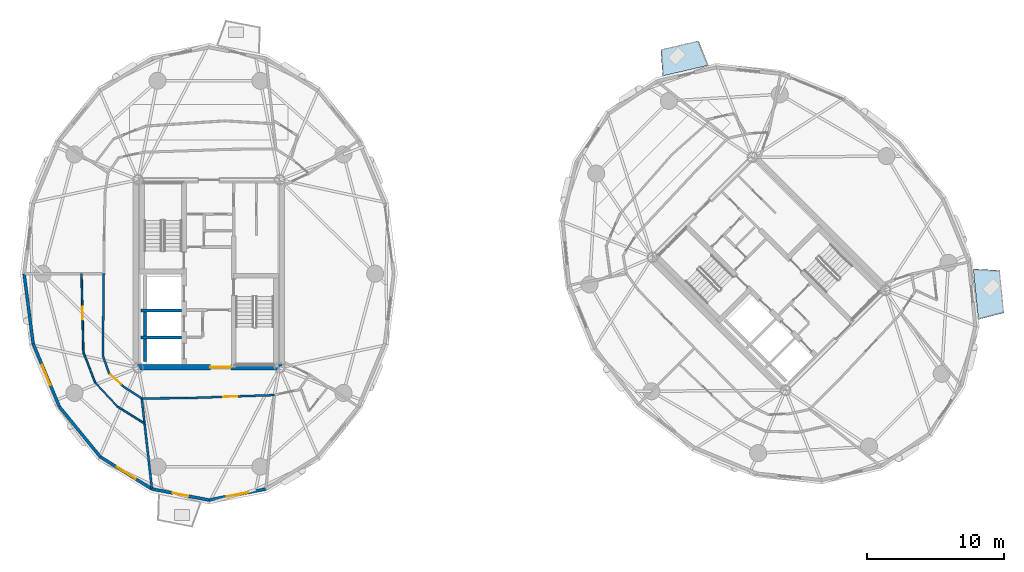
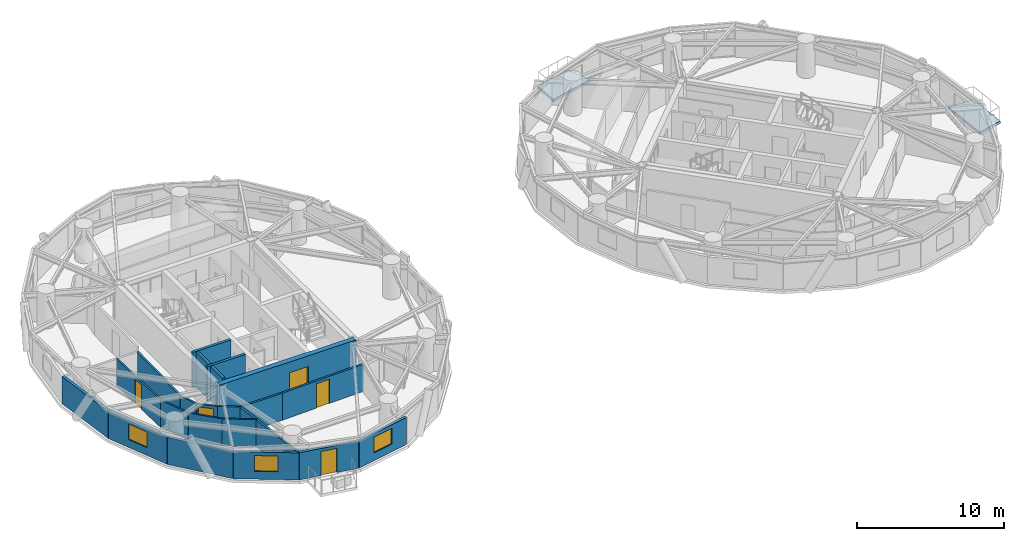
# One storey, part 7 of 16: 22 walls, 5 doors, 3 windows, 2 slabs, 8 openings.
"""IFC4 building model written with IfcOpenShell, lengths in metres."""

from ifc_helpers import new_model, si_unit, direction, frame, frame_2d, origin, place, context, subcontext, project, spatial, polyline, rectangle, outline, extrude, source, transform, mapped, material, layer, layer_set, type_object, element, fill, save


model = new_model("IFC4")

# Units and contexts
model_context = context("Model", 3, precision=1e-05, world=origin(), true_north=direction((0.0, 1.0)))
body_context = subcontext(model_context, "Body", "Model", "MODEL_VIEW")
ifc_project = project(units=[si_unit("LENGTHUNIT", "METRE"), si_unit("AREAUNIT", "SQUARE_METRE"), si_unit("VOLUMEUNIT", "CUBIC_METRE"), si_unit("PLANEANGLEUNIT", "RADIAN"), si_unit("MASSUNIT", "GRAM", prefix="KILO")], contexts=[model_context])

# Site, building, storey
site_placement = place(None, origin())
site = spatial("IfcSite", under=ifc_project, at=site_placement, CompositionType="ELEMENT")
building_placement = place(site_placement, origin())
building = spatial("IfcBuilding", under=site, at=building_placement, Name="Cununo Teusaquillo Station Towers", CompositionType="ELEMENT")
storey_placement = place(building_placement, frame((0.0, 0.0, 171.969970703125)))
storey = spatial("IfcBuildingStorey", under=building, at=storey_placement, Name="L54", CompositionType="ELEMENT", Elevation=171.969970703125)

# Slabs
ifc_material_1 = material(Name="Concrete C50/60", Category="concrete")
ifc_layer_1 = layer(ifc_material_1, 0.2099609375)
ifc_layer_set_1 = layer_set([ifc_layer_1], Name="Concrete C50/60")
slab_type = type_object("IfcSlabType", Name="SLB-BAL-210", PredefinedType="FLOOR", material=ifc_layer_set_1)
slab_1_placement = place(storey_placement, frame((0.0, 0.0, -0.2099609375)))
element("IfcSlab", 1, at=slab_1_placement, inside=storey, type_object=slab_type, Name="L54 Tower B Sky Garden Terrace Slab 1", PredefinedType="FLOOR", context=body_context, shape_type="SweptSolid", body=[
    extrude(outline(polyline([(53.064208984375, 39.75927734375), (49.720703125, 38.979248046875), (49.57763671875, 40.912353515625), (52.3369140625, 41.55615234375), (53.064208984375, 39.75927734375)])), origin(), (0.0, 0.0, 1.0), 0.2099609375),
])
slab_2_placement = place(storey_placement, frame((0.0, 0.0, -0.2099609375)))
element("IfcSlab", 2, at=slab_2_placement, inside=storey, type_object=slab_type, Name="L54 Tower B Tree Balcony Slab 2", PredefinedType="FLOOR", context=body_context, shape_type="SweptSolid", body=[
    extrude(outline(polyline([(72.830078125, 21.148681640625), (72.46337890625, 24.8505859375), (74.3984375, 24.740966796875), (74.706298828125, 21.63623046875), (72.830078125, 21.148681640625)])), origin(), (0.0, 0.0, 1.0), 0.2099609375),
])

# Walls
ifc_material_2 = material(Name="Concrete C50/60", Category="concrete")
ifc_layer_2 = layer(ifc_material_2, 0.199951171875)
ifc_layer_set_2 = layer_set([ifc_layer_2], Name="Concrete C50/60")
wall_type_1 = type_object("IfcWallType", Name="WL-CORE-200", PredefinedType="SHEAR", material=ifc_layer_set_2)
for number, where, z_axis, x_axis, name in (
    (3, (11.52001953125, 21.800048828125, 0.0), (0.0, 0.0, 1.0), (1.0, 0.0, 0.0), "L54 Tower A Firefighting Lift Shaft South Shear Wall"),
    (4, (11.52001953125, 19.824951171875, 0.0), (0.0, 0.0, 1.0), (1.0, 0.0, 0.0), "L54 Tower A High-Rise Lift Hoistway Divider Shear Wall"),
):
    element("IfcWall", number, at=place(storey_placement, frame(where, z_axis=z_axis, x_axis=x_axis)), inside=storey, type_object=wall_type_1, Name=name, PredefinedType="SHEAR", context=body_context, shape_type="SweptSolid", body=[
        extrude(rectangle(XDim=2.969970703125, YDim=0.199951171875, at=frame_2d((1.48486328125, 0.0))), origin(), (0.0, 0.0, 1.0), 2.909912109375),
    ])
wall_1_placement = place(storey_placement, frame((11.820068359375, 19.945068359375, 0.0), z_axis=(0.0, 0.0, 1.0), x_axis=(0.0, 1.0, 0.0)))
element("IfcWall", 5, at=wall_1_placement, inside=storey, type_object=wall_type_1, Name="L54 Tower A High-Rise Lift 2 Shaft Rear Shear Wall", PredefinedType="SHEAR", context=body_context, shape_type="SweptSolid", body=[
    extrude(rectangle(XDim=1.73486328125, YDim=0.199951171875, at=frame_2d((0.867431640625, 0.0))), origin(), (0.0, 0.0, 1.0), 2.909912109375),
])
wall_2_placement = place(storey_placement, frame((11.820068359375, 18.070068359375, 0.0), z_axis=(0.0, 0.0, 1.0), x_axis=(0.0, 1.0, 0.0)))
element("IfcWall", 6, at=wall_2_placement, inside=storey, type_object=wall_type_1, Name="L54 Tower A High-Rise Lift 1 Shaft Rear Shear Wall", PredefinedType="SHEAR", context=body_context, shape_type="SweptSolid", body=[
    extrude(rectangle(XDim=1.635009765625, YDim=0.199951171875, at=frame_2d((0.8173828125, 0.0))), origin(), (0.0, 0.0, 1.0), 2.909912109375),
])

# Wall, opening, door
ifc_material_3 = material(Name="Concrete C50/60", Category="concrete")
ifc_layer_3 = layer(ifc_material_3, 0.39990234375)
ifc_layer_set_3 = layer_set([ifc_layer_3], Name="Concrete C50/60")
wall_type_2 = type_object("IfcWallType", Name="WL-CORE-400", PredefinedType="SHEAR", material=ifc_layer_set_3)
wall_3_placement = place(storey_placement, frame((11.14990234375, 17.64990234375, 0.0), z_axis=(0.0, 0.0, 1.0), x_axis=(1.0, 0.0, 0.0)))
wall_3 = element("IfcWall", 7, at=wall_3_placement, inside=storey, type_object=wall_type_2, Name="L54 Tower A Core Shear Wall S", PredefinedType="SHEAR", context=body_context, shape_type="SweptSolid", body=[
    extrude(rectangle(XDim=10.7001953125, YDim=0.39990234375, at=frame_2d((5.35009765625, 0.0))), origin(), (0.0, 0.0, 1.0), 2.909912109375),
])
shared_shape_1 = source(origin(), body_context, "Body", "SweptSolid", [
    extrude(rectangle(XDim=1.5, YDim=2.02001953125, at=frame_2d((0.75, 1.010009765625))), frame((0.0, 0.2099609375, 0.0), z_axis=(0.0, -1.0, 0.0), x_axis=(1.0, 0.0, 0.0)), (0.0, 0.0, 1.0), 0.419921875),
])
opening_1_placement = place(wall_3_placement, frame((5.449951171875, 0.0, 0.0)))
opening_1 = element("IfcOpeningElement", 8, at=opening_1_placement, cuts=wall_3, Name="Opening D-LB1", PredefinedType="OPENING", context=body_context, shape_type="MappedRepresentation", body=[
    mapped(shared_shape_1, transform((0.0, 0.0, 0.0), x_axis=(1.0, 0.0, 0.0), y_axis=(0.0, 1.0, 0.0), z_axis=(0.0, 0.0, 1.0), scale=1.0)),
])
ifc_material_4 = material(Name="Galvanised fire-rated hollow steel door assembly", Category="steel")
door_type_1 = type_object("IfcDoorType", Name="DR-LOBBY-1500", OperationType="DOUBLE_DOOR_SINGLE_SWING", PredefinedType="DOOR", material=ifc_material_4)
shared_shape_2 = source(origin(), body_context, "Body", "SweptSolid", [
    extrude(rectangle(XDim=1.5, YDim=2.02001953125, at=frame_2d((0.75, 1.010009765625))), frame((0.0, 0.02490234375, 0.0), z_axis=(0.0, -1.0, 0.0), x_axis=(1.0, 0.0, 0.0)), (0.0, 0.0, 1.0), 0.050048828125),
])
door_1_placement = place(opening_1_placement, origin())
door_1 = element("IfcDoor", 9, at=door_1_placement, inside=storey, type_object=door_type_1, Name="L54 Tower A South Core Lift Lobby Door", OperationType="DOUBLE_DOOR_SINGLE_SWING", OverallHeight=2.02001953125, OverallWidth=1.5, PredefinedType="DOOR", context=body_context, shape_type="MappedRepresentation", body=[
    mapped(shared_shape_2, transform((0.0, 0.0, 0.0), x_axis=(1.0, 0.0, 0.0), y_axis=(0.0, 1.0, 0.0), z_axis=(0.0, 0.0, 1.0), scale=1.0)),
])
fill(opening_1, door_1)

# Wall
ifc_material_5 = material(Name="Precast concrete C40/50", Category="concrete")
ifc_layer_4 = layer(ifc_material_5, 0.219970703125)
ifc_layer_set_4 = layer_set([ifc_layer_4], Name="Precast concrete C40/50")
wall_type_3 = type_object("IfcWallType", Name="WL-EXT-220", PredefinedType="SOLIDWALL", material=ifc_layer_set_4)
wall_4_placement = place(storey_placement, frame((3.63134765625, 19.379638671875, 0.0), z_axis=(0.0, 0.0, 1.0), x_axis=(-0.128287912609, 0.991736966881, 0.0)))
element("IfcWall", 10, at=wall_4_placement, inside=storey, type_object=wall_type_3, Name="L54 Tower A Exterior Facade Wall C10", PredefinedType="SOLIDWALL", context=body_context, shape_type="SweptSolid", body=[
    extrude(rectangle(XDim=5.1630859375, YDim=0.219970703125, at=frame_2d((2.58154296875, 0.0))), origin(), (0.0, 0.0, 1.0), 2.2451171875),
])

# Wall, opening, window
wall_5_placement = place(storey_placement, frame((5.55322265625, 14.760498046875, 0.0), z_axis=(0.0, 0.0, 1.0), x_axis=(-0.384144094086, 0.923273152961, 0.0)))
wall_5 = element("IfcWall", 11, at=wall_5_placement, inside=storey, type_object=wall_type_3, Name="L54 Tower A Exterior Facade Wall C11", PredefinedType="SOLIDWALL", context=body_context, shape_type="SweptSolid", body=[
    extrude(rectangle(XDim=5.0029296875, YDim=0.219970703125, at=frame_2d((2.50146484375, 0.0))), origin(), (0.0, 0.0, 1.0), 2.2451171875),
])
shared_shape_3 = source(origin(), body_context, "Body", "SweptSolid", [
    extrude(rectangle(XDim=1.60009765625, YDim=1.300048828125, at=frame_2d((0.800048828125, 0.64990234375))), frame((0.0, 0.119873046875, 0.0), z_axis=(0.0, -1.0, 0.0), x_axis=(1.0, 0.0, 0.0)), (0.0, 0.0, 1.0), 0.239990234375),
])
opening_2_placement = place(wall_5_placement, frame((1.701904296875, 0.0, 0.64990234375)))
opening_2 = element("IfcOpeningElement", 12, at=opening_2_placement, cuts=wall_5, Name="Opening WN-03", PredefinedType="OPENING", context=body_context, shape_type="MappedRepresentation", body=[
    mapped(shared_shape_3, transform((0.0, 0.0, 0.0), x_axis=(1.0, 0.0, 0.0), y_axis=(0.0, 1.0, 0.0), z_axis=(0.0, 0.0, 1.0), scale=1.0)),
])
ifc_material_6 = material(Name="Ceramic-fritted dark low-E double glazing", Category="glass")
window_type = type_object("IfcWindowType", Name="WIN-CORN-1600", PartitioningType="SINGLE_PANEL", PredefinedType="WINDOW", material=ifc_material_6)
shared_shape_4 = source(origin(), body_context, "Body", "SweptSolid", [
    extrude(rectangle(XDim=1.60009765625, YDim=1.300048828125, at=frame_2d((0.800048828125, 0.64990234375))), frame((0.0, 0.030029296875, 0.0), z_axis=(0.0, -1.0, 0.0), x_axis=(1.0, 0.0, 0.0)), (0.0, 0.0, 1.0), 0.06005859375),
])
window_1_placement = place(opening_2_placement, origin())
window_1 = element("IfcWindow", 13, at=window_1_placement, inside=storey, type_object=window_type, Name="L54 Tower A Facade Window C11", OverallHeight=1.300048828125, OverallWidth=1.60009765625, PartitioningType="SINGLE_PANEL", PredefinedType="WINDOW", context=body_context, shape_type="MappedRepresentation", body=[
    mapped(shared_shape_4, transform((0.0, 0.0, 0.0), x_axis=(1.0, 0.0, 0.0), y_axis=(0.0, 1.0, 0.0), z_axis=(0.0, 0.0, 1.0), scale=1.0)),
])
fill(opening_2, window_1)

# Wall
wall_6_placement = place(storey_placement, frame((8.546630859375, 11.094482421875, 0.0), z_axis=(0.0, 0.0, 1.0), x_axis=(-0.632470615287, 0.774584353572, 0.0)))
element("IfcWall", 14, at=wall_6_placement, inside=storey, type_object=wall_type_3, Name="L54 Tower A Exterior Facade Wall C12", PredefinedType="SOLIDWALL", context=body_context, shape_type="SweptSolid", body=[
    extrude(rectangle(XDim=4.73291015625, YDim=0.219970703125, at=frame_2d((2.366455078125, 0.0))), origin(), (0.0, 0.0, 1.0), 2.2451171875),
])

# Wall, opening, window
wall_7_placement = place(storey_placement, frame((12.318603515625, 8.740966796875, 0.0), z_axis=(0.0, 0.0, 1.0), x_axis=(-0.848399108042, 0.529357113368, 0.0)))
wall_7 = element("IfcWall", 15, at=wall_7_placement, inside=storey, type_object=wall_type_3, Name="L54 Tower A Exterior Facade Wall C13", PredefinedType="SOLIDWALL", context=body_context, shape_type="SweptSolid", body=[
    extrude(rectangle(XDim=4.446044921875, YDim=0.219970703125, at=frame_2d((2.22314453125, 0.0))), origin(), (0.0, 0.0, 1.0), 2.2451171875),
])
opening_3_placement = place(wall_7_placement, frame((1.423095703125, 0.0, 0.64990234375)))
opening_3 = element("IfcOpeningElement", 16, at=opening_3_placement, cuts=wall_7, Name="Opening WN-03", PredefinedType="OPENING", context=body_context, shape_type="MappedRepresentation", body=[
    mapped(shared_shape_3, transform((0.0, 0.0, 0.0), x_axis=(1.0, 0.0, 0.0), y_axis=(0.0, 1.0, 0.0), z_axis=(0.0, 0.0, 1.0), scale=1.0)),
])
window_2_placement = place(opening_3_placement, origin())
window_2 = element("IfcWindow", 17, at=window_2_placement, inside=storey, type_object=window_type, Name="L54 Tower A Facade Window C13", OverallHeight=1.300048828125, OverallWidth=1.60009765625, PartitioningType="SINGLE_PANEL", PredefinedType="WINDOW", context=body_context, shape_type="MappedRepresentation", body=[
    mapped(shared_shape_4, transform((0.0, 0.0, 0.0), x_axis=(1.0, 0.0, 0.0), y_axis=(0.0, 1.0, 0.0), z_axis=(0.0, 0.0, 1.0), scale=1.0)),
])
fill(opening_3, window_2)

# Wall, opening, door
wall_8_placement = place(storey_placement, frame((16.5, 7.929931640625, 0.0), z_axis=(0.0, 0.0, 1.0), x_axis=(-0.981703883443, 0.190413983815, 0.0)))
wall_8 = element("IfcWall", 18, at=wall_8_placement, inside=storey, type_object=wall_type_3, Name="L54 Tower A Exterior Facade Wall C14", PredefinedType="SOLIDWALL", context=body_context, shape_type="SweptSolid", body=[
    extrude(rectangle(XDim=4.25927734375, YDim=0.219970703125, at=frame_2d((2.129638671875, 0.0))), origin(), (0.0, 0.0, 1.0), 2.2451171875),
])
shared_shape_5 = source(origin(), body_context, "Body", "SweptSolid", [
    extrude(rectangle(XDim=1.14990234375, YDim=2.0048828125, at=frame_2d((0.574951171875, 1.00244140625))), frame((0.0, 0.119873046875, 0.0), z_axis=(0.0, -1.0, 0.0), x_axis=(1.0, 0.0, 0.0)), (0.0, 0.0, 1.0), 0.239990234375),
])
opening_4_placement = place(wall_8_placement, frame((1.554931640625, 0.0, 0.0)))
opening_4 = element("IfcOpeningElement", 19, at=opening_4_placement, cuts=wall_8, Name="Opening ED-03", PredefinedType="OPENING", context=body_context, shape_type="MappedRepresentation", body=[
    mapped(shared_shape_5, transform((0.0, 0.0, 0.0), x_axis=(1.0, 0.0, 0.0), y_axis=(0.0, 1.0, 0.0), z_axis=(0.0, 0.0, 1.0), scale=1.0)),
])
ifc_material_7 = material(Name="Anodised dark bronze aluminium EN AW-6063-T6", Category="aluminium")
door_type_2 = type_object("IfcDoorType", Name="DR-EXT-BAL", OperationType="NOTDEFINED", PredefinedType="DOOR", material=ifc_material_7)
shared_shape_6 = source(origin(), body_context, "Body", "SweptSolid", [
    extrude(rectangle(XDim=1.14990234375, YDim=2.0048828125, at=frame_2d((0.574951171875, 1.00244140625))), frame((0.0, 0.02490234375, 0.0), z_axis=(0.0, -1.0, 0.0), x_axis=(1.0, 0.0, 0.0)), (0.0, 0.0, 1.0), 0.050048828125),
])
door_2_placement = place(opening_4_placement, origin())
door_2 = element("IfcDoor", 20, at=door_2_placement, inside=storey, type_object=door_type_2, Name="L54 Tower A Tree Balcony Door C14", OperationType="SINGLE_SWING_LEFT", OverallHeight=2.0048828125, OverallWidth=1.14990234375, PredefinedType="DOOR", context=body_context, shape_type="MappedRepresentation", body=[
    mapped(shared_shape_6, transform((0.0, 0.0, 0.0), x_axis=(1.0, 0.0, 0.0), y_axis=(0.0, 1.0, 0.0), z_axis=(0.0, 0.0, 1.0), scale=1.0)),
])
fill(opening_4, door_2)

# Wall, opening, window
wall_9_placement = place(storey_placement, frame((20.681396484375, 8.740966796875, 0.0), z_axis=(0.0, 0.0, 1.0), x_axis=(-0.981703883443, -0.190413983815, 0.0)))
wall_9 = element("IfcWall", 21, at=wall_9_placement, inside=storey, type_object=wall_type_3, Name="L54 Tower A Exterior Facade Wall C15", PredefinedType="SOLIDWALL", context=body_context, shape_type="SweptSolid", body=[
    extrude(rectangle(XDim=4.25927734375, YDim=0.219970703125, at=frame_2d((2.129638671875, 0.0))), origin(), (0.0, 0.0, 1.0), 2.2451171875),
])
opening_5_placement = place(wall_9_placement, frame((1.330078125, 0.0, 0.64990234375)))
opening_5 = element("IfcOpeningElement", 22, at=opening_5_placement, cuts=wall_9, Name="Opening WN-03", PredefinedType="OPENING", context=body_context, shape_type="MappedRepresentation", body=[
    mapped(shared_shape_3, transform((0.0, 0.0, 0.0), x_axis=(1.0, 0.0, 0.0), y_axis=(0.0, 1.0, 0.0), z_axis=(0.0, 0.0, 1.0), scale=1.0)),
])
window_3_placement = place(opening_5_placement, origin())
window_3 = element("IfcWindow", 23, at=window_3_placement, inside=storey, type_object=window_type, Name="L54 Tower A Facade Window C15", OverallHeight=1.300048828125, OverallWidth=1.60009765625, PartitioningType="SINGLE_PANEL", PredefinedType="WINDOW", context=body_context, shape_type="MappedRepresentation", body=[
    mapped(shared_shape_4, transform((0.0, 0.0, 0.0), x_axis=(1.0, 0.0, 0.0), y_axis=(0.0, 1.0, 0.0), z_axis=(0.0, 0.0, 1.0), scale=1.0)),
])
fill(opening_5, window_3)

# Wall, opening, door
ifc_material_8 = material(Name="Fire-rated gypsum plasterboard partition assembly", Category="gypsum")
ifc_layer_5 = layer(ifc_material_8, 0.125)
ifc_layer_set_5 = layer_set([ifc_layer_5], Name="Fire-rated gypsum plasterboard partition assembly")
wall_type_4 = type_object("IfcWallType", Name="WL-PART-125", PredefinedType="PARTITIONING", material=ifc_layer_set_5)
wall_10_placement = place(storey_placement, frame((7.1728515625, 24.5, 0.0), z_axis=(0.0, 0.0, 1.0), x_axis=(0.023936084601, -0.999713490883, 0.0)))
wall_10 = element("IfcWall", 24, at=wall_10_placement, inside=storey, type_object=wall_type_4, Name="L54 Tower A Grand Cordillera Club Salon Concentric Partition Wall C10", PredefinedType="PARTITIONING", context=body_context, shape_type="SweptSolid", body=[
    extrude(rectangle(XDim=5.752685546875, YDim=0.125, at=frame_2d((2.87646484375, 0.0))), origin(), (0.0, 0.0, 1.0), 2.2451171875),
])
shared_shape_7 = source(origin(), body_context, "Body", "SweptSolid", [
    extrude(rectangle(XDim=0.89990234375, YDim=2.0048828125, at=frame_2d((0.449951171875, 1.00244140625))), frame((0.0, 0.072509765625, 0.0), z_axis=(0.0, -1.0, 0.0), x_axis=(1.0, 0.0, 0.0)), (0.0, 0.0, 1.0), 0.14501953125),
])
opening_6_placement = place(wall_10_placement, frame((2.42626953125, 0.0, 0.0)))
opening_6 = element("IfcOpeningElement", 25, at=opening_6_placement, cuts=wall_10, Name="Opening D-IN1", PredefinedType="OPENING", context=body_context, shape_type="MappedRepresentation", body=[
    mapped(shared_shape_7, transform((0.0, 0.0, 0.0), x_axis=(1.0, 0.0, 0.0), y_axis=(0.0, 1.0, 0.0), z_axis=(0.0, 0.0, 1.0), scale=1.0)),
])
ifc_material_9 = material(Name="Acoustic solid-core hardwood leaf assembly", Category="wood")
door_type_3 = type_object("IfcDoorType", Name="DR-INT-900", OperationType="NOTDEFINED", PredefinedType="DOOR", material=ifc_material_9)
shared_shape_8 = source(origin(), body_context, "Body", "SweptSolid", [
    extrude(rectangle(XDim=0.89990234375, YDim=2.0048828125, at=frame_2d((0.449951171875, 1.00244140625))), frame((0.0, 0.02490234375, 0.0), z_axis=(0.0, -1.0, 0.0), x_axis=(1.0, 0.0, 0.0)), (0.0, 0.0, 1.0), 0.050048828125),
])
door_3_placement = place(opening_6_placement, origin())
door_3 = element("IfcDoor", 26, at=door_3_placement, inside=storey, type_object=door_type_3, Name="L54 Tower A Grand Cordillera Club Salon Connecting Door", OperationType="SINGLE_SWING_LEFT", OverallHeight=2.0048828125, OverallWidth=0.89990234375, PredefinedType="DOOR", context=body_context, shape_type="MappedRepresentation", body=[
    mapped(shared_shape_8, transform((0.0, 0.0, 0.0), x_axis=(1.0, 0.0, 0.0), y_axis=(0.0, 1.0, 0.0), z_axis=(0.0, 0.0, 1.0), scale=1.0)),
])
fill(opening_6, door_3)

# Walls
wall_11_placement = place(storey_placement, frame((7.310546875, 18.7490234375, 0.0), z_axis=(0.0, 0.0, 1.0), x_axis=(0.363119757726, -0.931742475982, 0.0)))
element("IfcWall", 27, at=wall_11_placement, inside=storey, type_object=wall_type_4, Name="L54 Tower A Grand Cordillera Club Salon Concentric Partition Wall C11", PredefinedType="PARTITIONING", context=body_context, shape_type="SweptSolid", body=[
    extrude(rectangle(XDim=2.396240234375, YDim=0.125, at=frame_2d((1.1982421875, 0.0))), origin(), (0.0, 0.0, 1.0), 2.2451171875),
])
wall_12_placement = place(storey_placement, frame((8.1806640625, 16.516357421875, 0.0), z_axis=(0.0, 0.0, 1.0), x_axis=(0.682244764422, -0.731123848209, 0.0)))
element("IfcWall", 28, at=wall_12_placement, inside=storey, type_object=wall_type_4, Name="L54 Tower A Grand Cordillera Club Salon Concentric Partition Wall C12", PredefinedType="PARTITIONING", context=body_context, shape_type="SweptSolid", body=[
    extrude(rectangle(XDim=2.367431640625, YDim=0.125, at=frame_2d((1.18359375, 0.0))), origin(), (0.0, 0.0, 1.0), 2.2451171875),
])
wall_13_placement = place(storey_placement, frame((9.7958984375, 14.785400390625, 0.0), z_axis=(0.0, 0.0, 1.0), x_axis=(0.844898543763, -0.534926584446, 0.0)))
element("IfcWall", 29, at=wall_13_placement, inside=storey, type_object=wall_type_4, Name="L54 Tower A Grand Cordillera Club Salon Concentric Partition Wall C13", PredefinedType="PARTITIONING", context=body_context, shape_type="SweptSolid", body=[
    extrude(rectangle(XDim=2.360595703125, YDim=0.125, at=frame_2d((1.18017578125, 0.0))), origin(), (0.0, 0.0, 1.0), 2.2451171875),
])
ifc_material_10 = material(Name="Fire-rated gypsum plasterboard partition assembly", Category="gypsum")
ifc_layer_6 = layer(ifc_material_10, 0.14990234375)
ifc_layer_set_6 = layer_set([ifc_layer_6], Name="Fire-rated gypsum plasterboard partition assembly")
wall_type_5 = type_object("IfcWallType", Name="WL-PART-150", PredefinedType="PARTITIONING", material=ifc_layer_set_6)
wall_14_placement = place(storey_placement, frame((8.800048828125, 24.5, 0.0), z_axis=(0.0, 0.0, 1.0), x_axis=(-0.011028591374, -0.999939183237, 0.0)))
element("IfcWall", 30, at=wall_14_placement, inside=storey, type_object=wall_type_5, Name="L54 Tower A Corridor Ring Wall C10", PredefinedType="PARTITIONING", context=body_context, shape_type="SweptSolid", body=[
    extrude(rectangle(XDim=5.9990234375, YDim=0.14990234375, at=frame_2d((2.99951171875, 0.0))), origin(), (0.0, 0.0, 1.0), 2.2451171875),
])
wall_15_placement = place(storey_placement, frame((8.73388671875, 18.501220703125, 0.0), z_axis=(0.0, 0.0, 1.0), x_axis=(0.333612366873, -0.94271034187, 0.0)))
element("IfcWall", 31, at=wall_15_placement, inside=storey, type_object=wall_type_5, Name="L54 Tower A Corridor Ring Wall C11", PredefinedType="PARTITIONING", context=body_context, shape_type="SweptSolid", body=[
    extrude(rectangle(XDim=1.385986328125, YDim=0.14990234375, at=frame_2d((0.69287109375, 0.0))), origin(), (0.0, 0.0, 1.0), 2.2451171875),
])

# Wall, opening, door
wall_16_placement = place(storey_placement, frame((9.1962890625, 17.194580078125, 0.0), z_axis=(0.0, 0.0, 1.0), x_axis=(0.740734525483, -0.671797858553, 0.0)))
wall_16 = element("IfcWall", 32, at=wall_16_placement, inside=storey, type_object=wall_type_5, Name="L54 Tower A Corridor Ring Wall C12", PredefinedType="PARTITIONING", context=body_context, shape_type="SweptSolid", body=[
    extrude(rectangle(XDim=1.459228515625, YDim=0.14990234375, at=frame_2d((0.7294921875, 0.0))), origin(), (0.0, 0.0, 1.0), 2.2451171875),
])
shared_shape_9 = source(origin(), body_context, "Body", "SweptSolid", [
    extrude(rectangle(XDim=1.050048828125, YDim=2.014892578125, at=frame_2d((0.52490234375, 1.00732421875))), frame((0.0, 0.0849609375, 0.0), z_axis=(0.0, -1.0, 0.0), x_axis=(1.0, 0.0, 0.0)), (0.0, 0.0, 1.0), 0.169921875),
])
opening_7_placement = place(wall_16_placement, frame((0.1201171875, 0.0, 0.0)))
opening_7 = element("IfcOpeningElement", 33, at=opening_7_placement, cuts=wall_16, Name="Opening D-SU1", PredefinedType="OPENING", context=body_context, shape_type="MappedRepresentation", body=[
    mapped(shared_shape_9, transform((0.0, 0.0, 0.0), x_axis=(1.0, 0.0, 0.0), y_axis=(0.0, 1.0, 0.0), z_axis=(0.0, 0.0, 1.0), scale=1.0)),
])
ifc_material_11 = material(Name="Acoustic solid-core hardwood leaf assembly", Category="wood")
door_type_4 = type_object("IfcDoorType", Name="DR-SUITE-1050", OperationType="NOTDEFINED", PredefinedType="DOOR", material=ifc_material_11)
shared_shape_10 = source(origin(), body_context, "Body", "SweptSolid", [
    extrude(rectangle(XDim=1.050048828125, YDim=2.014892578125, at=frame_2d((0.52490234375, 1.00732421875))), frame((0.0, 0.02490234375, 0.0), z_axis=(0.0, -1.0, 0.0), x_axis=(1.0, 0.0, 0.0)), (0.0, 0.0, 1.0), 0.050048828125),
])
door_4_placement = place(opening_7_placement, origin())
door_4 = element("IfcDoor", 34, at=door_4_placement, inside=storey, type_object=door_type_4, Name="L54 Tower A Grand Cordillera Club Salon Entrance Door", OperationType="SINGLE_SWING_RIGHT", OverallHeight=2.014892578125, OverallWidth=1.050048828125, PredefinedType="DOOR", context=body_context, shape_type="MappedRepresentation", body=[
    mapped(shared_shape_10, transform((0.0, 0.0, 0.0), x_axis=(1.0, 0.0, 0.0), y_axis=(0.0, 1.0, 0.0), z_axis=(0.0, 0.0, 1.0), scale=1.0)),
])
fill(opening_7, door_4)

# Walls
wall_17_placement = place(storey_placement, frame((10.277099609375, 16.21435546875, 0.0), z_axis=(0.0, 0.0, 1.0), x_axis=(0.841060909507, -0.540940427865, 0.0)))
element("IfcWall", 35, at=wall_17_placement, inside=storey, type_object=wall_type_5, Name="L54 Tower A Corridor Ring Wall C13", PredefinedType="PARTITIONING", context=body_context, shape_type="SweptSolid", body=[
    extrude(rectangle(XDim=1.552001953125, YDim=0.14990234375, at=frame_2d((0.77587890625, 0.0))), origin(), (0.0, 0.0, 1.0), 2.2451171875),
])
wall_18_placement = place(storey_placement, frame((11.58251953125, 15.374755859375, 0.0), z_axis=(0.0, 0.0, 1.0), x_axis=(0.999988014548, 0.004895994347, 0.0)))
element("IfcWall", 36, at=wall_18_placement, inside=storey, type_object=wall_type_5, Name="L54 Tower A Corridor Ring Wall C14", PredefinedType="PARTITIONING", context=body_context, shape_type="SweptSolid", body=[
    extrude(rectangle(XDim=3.2412109375, YDim=0.14990234375, at=frame_2d((1.62060546875, 0.0))), origin(), (0.0, 0.0, 1.0), 2.2451171875),
])

# Wall, opening, door
wall_19_placement = place(storey_placement, frame((14.82373046875, 15.390625, 0.0), z_axis=(0.0, 0.0, 1.0), x_axis=(0.999399579064, 0.034647963376, 0.0)))
wall_19 = element("IfcWall", 37, at=wall_19_placement, inside=storey, type_object=wall_type_5, Name="L54 Tower A Corridor Ring Wall C15", PredefinedType="PARTITIONING", context=body_context, shape_type="SweptSolid", body=[
    extrude(rectangle(XDim=6.4755859375, YDim=0.14990234375, at=frame_2d((3.23779296875, 0.0))), origin(), (0.0, 0.0, 1.0), 2.2451171875),
])
opening_8_placement = place(wall_19_placement, frame((2.712890625, 0.0, 0.0)))
opening_8 = element("IfcOpeningElement", 38, at=opening_8_placement, cuts=wall_19, Name="Opening D-SU1", PredefinedType="OPENING", context=body_context, shape_type="MappedRepresentation", body=[
    mapped(shared_shape_9, transform((0.0, 0.0, 0.0), x_axis=(1.0, 0.0, 0.0), y_axis=(0.0, 1.0, 0.0), z_axis=(0.0, 0.0, 1.0), scale=1.0)),
])
door_5_placement = place(opening_8_placement, origin())
door_5 = element("IfcDoor", 39, at=door_5_placement, inside=storey, type_object=door_type_4, Name="L54 Tower A Hotel Housekeeping & Linen Pantry Entrance Door", OperationType="SINGLE_SWING_RIGHT", OverallHeight=2.014892578125, OverallWidth=1.050048828125, PredefinedType="DOOR", context=body_context, shape_type="MappedRepresentation", body=[
    mapped(shared_shape_10, transform((0.0, 0.0, 0.0), x_axis=(1.0, 0.0, 0.0), y_axis=(0.0, 1.0, 0.0), z_axis=(0.0, 0.0, 1.0), scale=1.0)),
])
fill(opening_8, door_5)

# Wall
ifc_material_12 = material(Name="Fire-rated gypsum plasterboard partition assembly", Category="gypsum")
ifc_layer_7 = layer(ifc_material_12, 0.159912109375)
ifc_layer_set_7 = layer_set([ifc_layer_7], Name="Fire-rated gypsum plasterboard partition assembly")
wall_type_6 = type_object("IfcWallType", Name="WL-PART-160", PredefinedType="PARTITIONING", material=ifc_layer_set_7)
wall_20_placement = place(storey_placement, frame((11.58251953125, 15.374755859375, 0.0), z_axis=(0.0, 0.0, 1.0), x_axis=(0.111538514066, -0.993760111838, 0.0)))
element("IfcWall", 40, at=wall_20_placement, inside=storey, type_object=wall_type_6, Name="L54 Tower A Radial Suite Partition R05", PredefinedType="PARTITIONING", context=body_context, shape_type="SweptSolid", body=[
    extrude(rectangle(XDim=6.65625, YDim=0.159912109375, at=frame_2d((3.328125, 0.0))), origin(), (0.0, 0.0, 1.0), 2.2451171875),
])

save(model, "model.ifc")
